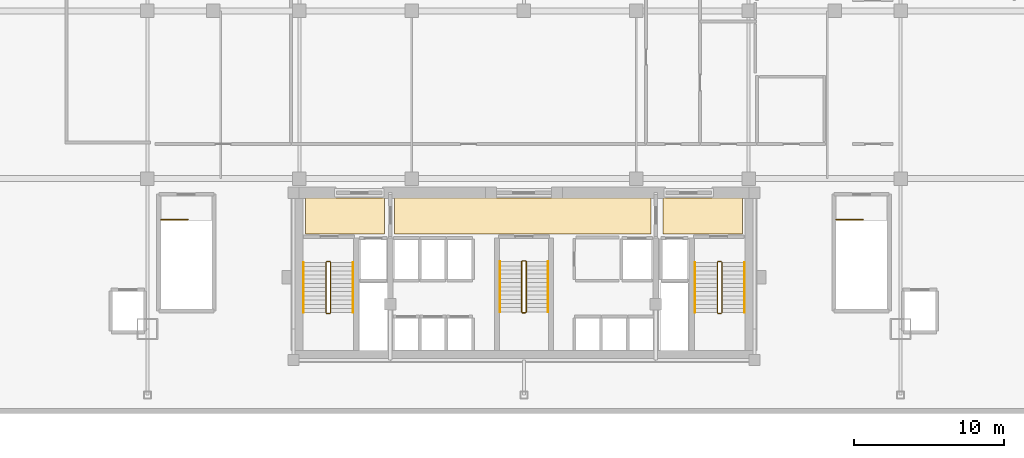
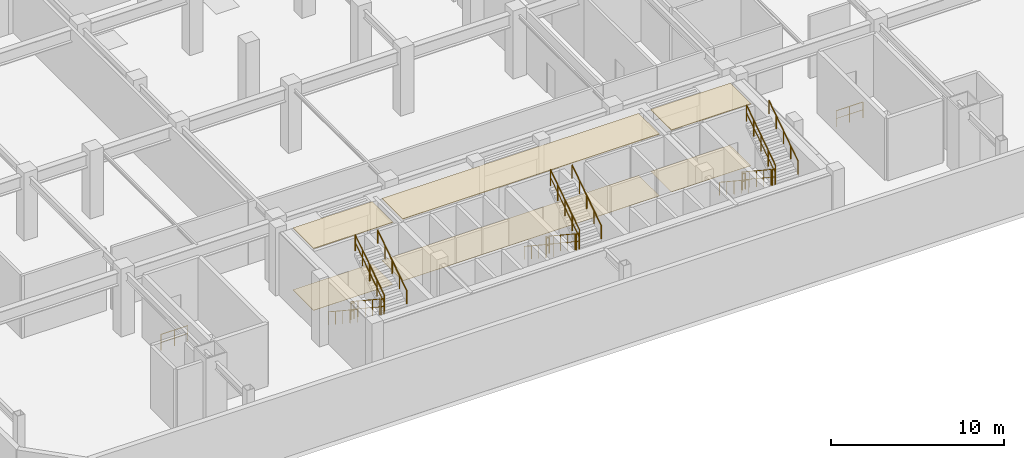
# One storey, part 14 of 15: 20 railings, 6 coverings.
"""IFC4 building model written with IfcOpenShell, lengths in metres."""

from ifc_helpers import new_model, si_unit, direction, frame, origin, origin_2d, place, context, subcontext, project, spatial, polyline, circle, outline, extrude, material, layer, layer_set, type_object, element, save


model = new_model("IFC4")

# Units and contexts
model_context = context("Model", 3, precision=1e-05, world=origin(), true_north=direction((0.0, 1.0)))
body_context = subcontext(model_context, "Body", "Model", "MODEL_VIEW")
ifc_project = project(units=[si_unit("LENGTHUNIT", "METRE"), si_unit("AREAUNIT", "SQUARE_METRE"), si_unit("VOLUMEUNIT", "CUBIC_METRE"), si_unit("PLANEANGLEUNIT", "RADIAN"), si_unit("MASSUNIT", "GRAM", prefix="KILO")], contexts=[model_context])

# Site, building, storey
site_placement = place(None, origin())
site = spatial("IfcSite", under=ifc_project, at=site_placement, CompositionType="ELEMENT")
building_placement = place(site_placement, origin())
building = spatial("IfcBuilding", under=site, at=building_placement, Name="Ventersveld Concourse Tower", CompositionType="ELEMENT")
storey_placement = place(building_placement, frame((0.0, 0.0, 19.800048828125)))
storey = spatial("IfcBuildingStorey", under=building, at=storey_placement, Name="L04", CompositionType="ELEMENT", Elevation=19.800048828125)

# Coverings
ifc_material_1 = material(Name="Mineral-fibre acoustic ceiling tile", Category="gypsum")
ifc_layer_1 = layer(ifc_material_1, 0.0400390625)
ifc_layer_set_1 = layer_set([ifc_layer_1], Name="Mineral-fibre acoustic ceiling tile")
covering_type_1 = type_object("IfcCoveringType", Name="COV-CEIL-ACOUSTIC", PredefinedType="CEILING", material=ifc_layer_set_1)
covering_1_placement = place(storey_placement, frame((0.0, 0.0, 4.35986328125)))
element("IfcCovering", 1, at=covering_1_placement, inside=storey, type_object=covering_type_1, Name="L04 North Lift Lobby Acoustic Ceiling", PredefinedType="CEILING", context=body_context, shape_type="SweptSolid", body=[
    extrude(outline(polyline([(20.10009765625, 8.699951171875), (37.25, 8.699951171875), (37.25, 11.10009765625), (20.10009765625, 11.10009765625), (20.10009765625, 8.699951171875)])), origin(), (0.0, 0.0, 1.0), 0.0400390625),
])
covering_2_placement = place(storey_placement, frame((0.0, 0.0, 4.35986328125)))
element("IfcCovering", 2, at=covering_2_placement, inside=storey, type_object=covering_type_1, Name="L04 West Firefighting Lobby Acoustic Ceiling", PredefinedType="CEILING", context=body_context, shape_type="SweptSolid", body=[
    extrude(outline(polyline([(14.14990234375, 8.699951171875), (19.449951171875, 8.699951171875), (19.449951171875, 11.10009765625), (14.14990234375, 11.10009765625), (14.14990234375, 8.699951171875)])), origin(), (0.0, 0.0, 1.0), 0.0400390625),
])
covering_3_placement = place(storey_placement, frame((0.0, 0.0, 4.35986328125)))
element("IfcCovering", 3, at=covering_3_placement, inside=storey, type_object=covering_type_1, Name="L04 East Firefighting Lobby Acoustic Ceiling", PredefinedType="CEILING", context=body_context, shape_type="SweptSolid", body=[
    extrude(outline(polyline([(38.050048828125, 8.699951171875), (43.35009765625, 8.699951171875), (43.35009765625, 11.10009765625), (38.050048828125, 11.10009765625), (38.050048828125, 8.699951171875)])), origin(), (0.0, 0.0, 1.0), 0.0400390625),
])
ifc_material_2 = material(Name="Polished Highveld granite terrazzo", Category="masonry")
ifc_layer_2 = layer(ifc_material_2, 0.02001953125)
ifc_layer_set_2 = layer_set([ifc_layer_2], Name="Polished Highveld granite terrazzo")
covering_type_2 = type_object("IfcCoveringType", Name="COV-FLOOR-TERRAZZO", PredefinedType="FLOORING", material=ifc_layer_set_2)
covering_4_placement = place(storey_placement, origin())
element("IfcCovering", 4, at=covering_4_placement, inside=storey, type_object=covering_type_2, Name="L04 North Lift Lobby Terrazzo Flooring", PredefinedType="FLOORING", context=body_context, shape_type="SweptSolid", body=[
    extrude(outline(polyline([(20.10009765625, 8.699951171875), (37.25, 8.699951171875), (37.25, 11.10009765625), (20.10009765625, 11.10009765625), (20.10009765625, 8.699951171875)])), origin(), (0.0, 0.0, 1.0), 0.02001953125),
])
covering_5_placement = place(storey_placement, origin())
element("IfcCovering", 5, at=covering_5_placement, inside=storey, type_object=covering_type_2, Name="L04 West Firefighting Lobby Terrazzo Flooring", PredefinedType="FLOORING", context=body_context, shape_type="SweptSolid", body=[
    extrude(outline(polyline([(14.14990234375, 8.699951171875), (19.449951171875, 8.699951171875), (19.449951171875, 11.10009765625), (14.14990234375, 11.10009765625), (14.14990234375, 8.699951171875)])), origin(), (0.0, 0.0, 1.0), 0.02001953125),
])
covering_6_placement = place(storey_placement, origin())
element("IfcCovering", 6, at=covering_6_placement, inside=storey, type_object=covering_type_2, Name="L04 East Firefighting Lobby Terrazzo Flooring", PredefinedType="FLOORING", context=body_context, shape_type="SweptSolid", body=[
    extrude(outline(polyline([(38.050048828125, 8.699951171875), (43.35009765625, 8.699951171875), (43.35009765625, 11.10009765625), (38.050048828125, 11.10009765625), (38.050048828125, 8.699951171875)])), origin(), (0.0, 0.0, 1.0), 0.02001953125),
])

# Railings
ifc_material_3 = material(Name="Brushed stainless steel 316", Category="steel")
railing_type_1 = type_object("IfcRailingType", Name="GD-BAL-115", PredefinedType="GUARDRAIL", material=ifc_material_3)
railing_1_placement = place(storey_placement, frame((15.530029296875, 6.800048828125, 0.1845703125)))
element("IfcRailing", 7, at=railing_1_placement, inside=storey, type_object=railing_type_1, Name="L04 ST-01 stair guard 1", PredefinedType="GUARDRAIL", context=body_context, shape_type="SweptSolid", body=[
    extrude(circle(Radius=0.02392578125, at=origin_2d()), frame((0.0, 0.0, 1.1259765625), z_axis=(0.0, -0.834876476806, 0.550437342915), x_axis=(1.0, 0.0, 0.0)), (0.0, 0.0, 1.0), 4.024658203125),
    extrude(circle(Radius=0.01611328125, at=origin_2d()), frame((0.0, 0.0, 0.574951171875), z_axis=(0.0, -0.834876476806, 0.550437342915), x_axis=(1.0, 0.0, 0.0)), (0.0, 0.0, 1.0), 4.024658203125),
    extrude(circle(Radius=0.02099609375, at=origin_2d()), origin(), (0.0, 0.0, 1.0), 1.101806640625),
    extrude(circle(Radius=0.02099609375, at=origin_2d()), frame((0.0, -0.840087890625, 0.5537109375)), (0.0, 0.0, 1.0), 1.101806640625),
    extrude(circle(Radius=0.02099609375, at=origin_2d()), frame((0.0, -1.68017578125, 1.107666015625)), (0.0, 0.0, 1.0), 1.101806640625),
    extrude(circle(Radius=0.02099609375, at=origin_2d()), frame((0.0, -2.52001953125, 1.66162109375)), (0.0, 0.0, 1.0), 1.101806640625),
    extrude(circle(Radius=0.02099609375, at=origin_2d()), frame((0.0, -3.360107421875, 2.21533203125)), (0.0, 0.0, 1.0), 1.101806640625),
])
railing_2_placement = place(storey_placement, frame((15.580078125, 3.389892578125, 2.39990234375)))
element("IfcRailing", 8, at=railing_2_placement, inside=storey, type_object=railing_type_1, Name="L04 ST-01 stair guard 2", PredefinedType="GUARDRAIL", context=body_context, shape_type="SweptSolid", body=[
    extrude(circle(Radius=0.02392578125, at=origin_2d()), frame((0.0, 0.0, 1.1259765625), z_axis=(1.0, 0.0, 0.0), x_axis=(0.0, 1.0, 0.0)), (0.0, 0.0, 1.0), 0.199951171875),
    extrude(circle(Radius=0.01611328125, at=origin_2d()), frame((0.0, 0.0, 0.574951171875), z_axis=(1.0, 0.0, 0.0), x_axis=(0.0, 1.0, 0.0)), (0.0, 0.0, 1.0), 0.199951171875),
    extrude(circle(Radius=0.02099609375, at=origin_2d()), origin(), (0.0, 0.0, 1.0), 1.101806640625),
    extrude(circle(Radius=0.02099609375, at=origin_2d()), frame((0.199951171875, 0.0, 0.0)), (0.0, 0.0, 1.0), 1.101806640625),
])
railing_3_placement = place(storey_placement, frame((15.830078125, 3.43994140625, 2.58447265625)))
element("IfcRailing", 9, at=railing_3_placement, inside=storey, type_object=railing_type_1, Name="L04 ST-01 stair guard 3", PredefinedType="GUARDRAIL", context=body_context, shape_type="SweptSolid", body=[
    extrude(circle(Radius=0.02392578125, at=origin_2d()), frame((0.0, 0.0, 1.1259765625), z_axis=(0.0, 0.834848600103, 0.550479622607), x_axis=(-1.0, 0.0, 0.0)), (0.0, 0.0, 1.0), 4.02490234375),
    extrude(circle(Radius=0.01611328125, at=origin_2d()), frame((0.0, 0.0, 0.574951171875), z_axis=(0.0, 0.834848600103, 0.550479622607), x_axis=(-1.0, 0.0, 0.0)), (0.0, 0.0, 1.0), 4.02490234375),
    extrude(circle(Radius=0.02099609375, at=origin_2d()), origin(), (0.0, 0.0, 1.0), 1.101806640625),
    extrude(circle(Radius=0.02099609375, at=origin_2d()), frame((0.0, 0.840087890625, 0.553955078125)), (0.0, 0.0, 1.0), 1.101806640625),
    extrude(circle(Radius=0.02099609375, at=origin_2d()), frame((0.0, 1.68017578125, 1.10791015625)), (0.0, 0.0, 1.0), 1.101806640625),
    extrude(circle(Radius=0.02099609375, at=origin_2d()), frame((0.0, 2.52001953125, 1.66162109375)), (0.0, 0.0, 1.0), 1.101806640625),
    extrude(circle(Radius=0.02099609375, at=origin_2d()), frame((0.0, 3.360107421875, 2.215576171875)), (0.0, 0.0, 1.0), 1.101806640625),
])
railing_4_placement = place(storey_placement, frame((15.580078125, 6.85009765625, 0.0)))
element("IfcRailing", 10, at=railing_4_placement, inside=storey, type_object=railing_type_1, Name="L04 ST-01 stair guard 4", PredefinedType="GUARDRAIL", context=body_context, shape_type="SweptSolid", body=[
    extrude(circle(Radius=0.02392578125, at=origin_2d()), frame((0.0, 0.0, 1.1259765625), z_axis=(1.0, 0.0, 0.0), x_axis=(0.0, 1.0, 0.0)), (0.0, 0.0, 1.0), 0.199951171875),
    extrude(circle(Radius=0.01611328125, at=origin_2d()), frame((0.0, 0.0, 0.574951171875), z_axis=(1.0, 0.0, 0.0), x_axis=(0.0, 1.0, 0.0)), (0.0, 0.0, 1.0), 0.199951171875),
    extrude(circle(Radius=0.02099609375, at=origin_2d()), origin(), (0.0, 0.0, 1.0), 1.101806640625),
    extrude(circle(Radius=0.02099609375, at=origin_2d()), frame((0.199951171875, 0.0, 0.0)), (0.0, 0.0, 1.0), 1.101806640625),
])
railing_5_placement = place(storey_placement, frame((41.669921875, 6.800048828125, 0.1845703125)))
element("IfcRailing", 11, at=railing_5_placement, inside=storey, type_object=railing_type_1, Name="L04 ST-02 stair guard 1", PredefinedType="GUARDRAIL", context=body_context, shape_type="SweptSolid", body=[
    extrude(circle(Radius=0.02392578125, at=origin_2d()), frame((0.0, 0.0, 1.1259765625), z_axis=(0.0, -0.834876476806, 0.550437342915), x_axis=(1.0, 0.0, 0.0)), (0.0, 0.0, 1.0), 4.024658203125),
    extrude(circle(Radius=0.01611328125, at=origin_2d()), frame((0.0, 0.0, 0.574951171875), z_axis=(0.0, -0.834876476806, 0.550437342915), x_axis=(1.0, 0.0, 0.0)), (0.0, 0.0, 1.0), 4.024658203125),
    extrude(circle(Radius=0.02099609375, at=origin_2d()), origin(), (0.0, 0.0, 1.0), 1.101806640625),
    extrude(circle(Radius=0.02099609375, at=origin_2d()), frame((0.0, -0.840087890625, 0.5537109375)), (0.0, 0.0, 1.0), 1.101806640625),
    extrude(circle(Radius=0.02099609375, at=origin_2d()), frame((0.0, -1.68017578125, 1.107666015625)), (0.0, 0.0, 1.0), 1.101806640625),
    extrude(circle(Radius=0.02099609375, at=origin_2d()), frame((0.0, -2.52001953125, 1.66162109375)), (0.0, 0.0, 1.0), 1.101806640625),
    extrude(circle(Radius=0.02099609375, at=origin_2d()), frame((0.0, -3.360107421875, 2.21533203125)), (0.0, 0.0, 1.0), 1.101806640625),
])
railing_6_placement = place(storey_placement, frame((41.719970703125, 3.389892578125, 2.39990234375)))
element("IfcRailing", 12, at=railing_6_placement, inside=storey, type_object=railing_type_1, Name="L04 ST-02 stair guard 2", PredefinedType="GUARDRAIL", context=body_context, shape_type="SweptSolid", body=[
    extrude(circle(Radius=0.02392578125, at=origin_2d()), frame((0.0, 0.0, 1.1259765625), z_axis=(1.0, 0.0, 0.0), x_axis=(0.0, 1.0, 0.0)), (0.0, 0.0, 1.0), 0.199951171875),
    extrude(circle(Radius=0.01611328125, at=origin_2d()), frame((0.0, 0.0, 0.574951171875), z_axis=(1.0, 0.0, 0.0), x_axis=(0.0, 1.0, 0.0)), (0.0, 0.0, 1.0), 0.199951171875),
    extrude(circle(Radius=0.02099609375, at=origin_2d()), origin(), (0.0, 0.0, 1.0), 1.101806640625),
    extrude(circle(Radius=0.02099609375, at=origin_2d()), frame((0.199951171875, 0.0, 0.0)), (0.0, 0.0, 1.0), 1.101806640625),
])
railing_7_placement = place(storey_placement, frame((41.969970703125, 3.43994140625, 2.58447265625)))
element("IfcRailing", 13, at=railing_7_placement, inside=storey, type_object=railing_type_1, Name="L04 ST-02 stair guard 3", PredefinedType="GUARDRAIL", context=body_context, shape_type="SweptSolid", body=[
    extrude(circle(Radius=0.02392578125, at=origin_2d()), frame((0.0, 0.0, 1.1259765625), z_axis=(0.0, 0.834848600103, 0.550479622607), x_axis=(-1.0, 0.0, 0.0)), (0.0, 0.0, 1.0), 4.02490234375),
    extrude(circle(Radius=0.01611328125, at=origin_2d()), frame((0.0, 0.0, 0.574951171875), z_axis=(0.0, 0.834848600103, 0.550479622607), x_axis=(-1.0, 0.0, 0.0)), (0.0, 0.0, 1.0), 4.02490234375),
    extrude(circle(Radius=0.02099609375, at=origin_2d()), origin(), (0.0, 0.0, 1.0), 1.101806640625),
    extrude(circle(Radius=0.02099609375, at=origin_2d()), frame((0.0, 0.840087890625, 0.553955078125)), (0.0, 0.0, 1.0), 1.101806640625),
    extrude(circle(Radius=0.02099609375, at=origin_2d()), frame((0.0, 1.68017578125, 1.10791015625)), (0.0, 0.0, 1.0), 1.101806640625),
    extrude(circle(Radius=0.02099609375, at=origin_2d()), frame((0.0, 2.52001953125, 1.66162109375)), (0.0, 0.0, 1.0), 1.101806640625),
    extrude(circle(Radius=0.02099609375, at=origin_2d()), frame((0.0, 3.360107421875, 2.215576171875)), (0.0, 0.0, 1.0), 1.101806640625),
])
railing_8_placement = place(storey_placement, frame((41.719970703125, 6.85009765625, 0.0)))
element("IfcRailing", 14, at=railing_8_placement, inside=storey, type_object=railing_type_1, Name="L04 ST-02 stair guard 4", PredefinedType="GUARDRAIL", context=body_context, shape_type="SweptSolid", body=[
    extrude(circle(Radius=0.02392578125, at=origin_2d()), frame((0.0, 0.0, 1.1259765625), z_axis=(1.0, 0.0, 0.0), x_axis=(0.0, 1.0, 0.0)), (0.0, 0.0, 1.0), 0.199951171875),
    extrude(circle(Radius=0.01611328125, at=origin_2d()), frame((0.0, 0.0, 0.574951171875), z_axis=(1.0, 0.0, 0.0), x_axis=(0.0, 1.0, 0.0)), (0.0, 0.0, 1.0), 0.199951171875),
    extrude(circle(Radius=0.02099609375, at=origin_2d()), origin(), (0.0, 0.0, 1.0), 1.101806640625),
    extrude(circle(Radius=0.02099609375, at=origin_2d()), frame((0.199951171875, 0.0, 0.0)), (0.0, 0.0, 1.0), 1.101806640625),
])
railing_9_placement = place(storey_placement, frame((28.60009765625, 6.85009765625, 0.1845703125)))
element("IfcRailing", 15, at=railing_9_placement, inside=storey, type_object=railing_type_1, Name="L04 ST-03 stair guard 1", PredefinedType="GUARDRAIL", context=body_context, shape_type="SweptSolid", body=[
    extrude(circle(Radius=0.02392578125, at=origin_2d()), frame((0.0, 0.0, 1.1259765625), z_axis=(0.0, -0.834876476806, 0.550437342915), x_axis=(1.0, 0.0, 0.0)), (0.0, 0.0, 1.0), 4.024658203125),
    extrude(circle(Radius=0.01611328125, at=origin_2d()), frame((0.0, 0.0, 0.574951171875), z_axis=(0.0, -0.834876476806, 0.550437342915), x_axis=(1.0, 0.0, 0.0)), (0.0, 0.0, 1.0), 4.024658203125),
    extrude(circle(Radius=0.02099609375, at=origin_2d()), origin(), (0.0, 0.0, 1.0), 1.101806640625),
    extrude(circle(Radius=0.02099609375, at=origin_2d()), frame((0.0, -0.840087890625, 0.5537109375)), (0.0, 0.0, 1.0), 1.101806640625),
    extrude(circle(Radius=0.02099609375, at=origin_2d()), frame((0.0, -1.68017578125, 1.107666015625)), (0.0, 0.0, 1.0), 1.101806640625),
    extrude(circle(Radius=0.02099609375, at=origin_2d()), frame((0.0, -2.52001953125, 1.66162109375)), (0.0, 0.0, 1.0), 1.101806640625),
    extrude(circle(Radius=0.02099609375, at=origin_2d()), frame((0.0, -3.360107421875, 2.21533203125)), (0.0, 0.0, 1.0), 1.101806640625),
])
railing_10_placement = place(storey_placement, frame((28.64990234375, 3.43994140625, 2.39990234375)))
element("IfcRailing", 16, at=railing_10_placement, inside=storey, type_object=railing_type_1, Name="L04 ST-03 stair guard 2", PredefinedType="GUARDRAIL", context=body_context, shape_type="SweptSolid", body=[
    extrude(circle(Radius=0.02392578125, at=origin_2d()), frame((0.0, 0.0, 1.1259765625), z_axis=(1.0, 0.0, 0.0), x_axis=(0.0, 1.0, 0.0)), (0.0, 0.0, 1.0), 0.2001953125),
    extrude(circle(Radius=0.01611328125, at=origin_2d()), frame((0.0, 0.0, 0.574951171875), z_axis=(1.0, 0.0, 0.0), x_axis=(0.0, 1.0, 0.0)), (0.0, 0.0, 1.0), 0.2001953125),
    extrude(circle(Radius=0.02099609375, at=origin_2d()), origin(), (0.0, 0.0, 1.0), 1.101806640625),
    extrude(circle(Radius=0.02099609375, at=origin_2d()), frame((0.2001953125, 0.0, 0.0)), (0.0, 0.0, 1.0), 1.101806640625),
])
railing_11_placement = place(storey_placement, frame((28.89990234375, 3.489990234375, 2.58447265625)))
element("IfcRailing", 17, at=railing_11_placement, inside=storey, type_object=railing_type_1, Name="L04 ST-03 stair guard 3", PredefinedType="GUARDRAIL", context=body_context, shape_type="SweptSolid", body=[
    extrude(circle(Radius=0.02392578125, at=origin_2d()), frame((0.0, 0.0, 1.1259765625), z_axis=(0.0, 0.834848600103, 0.550479622607), x_axis=(-1.0, 0.0, 0.0)), (0.0, 0.0, 1.0), 4.02490234375),
    extrude(circle(Radius=0.01611328125, at=origin_2d()), frame((0.0, 0.0, 0.574951171875), z_axis=(0.0, 0.834848600103, 0.550479622607), x_axis=(-1.0, 0.0, 0.0)), (0.0, 0.0, 1.0), 4.02490234375),
    extrude(circle(Radius=0.02099609375, at=origin_2d()), origin(), (0.0, 0.0, 1.0), 1.101806640625),
    extrude(circle(Radius=0.02099609375, at=origin_2d()), frame((0.0, 0.840087890625, 0.553955078125)), (0.0, 0.0, 1.0), 1.101806640625),
    extrude(circle(Radius=0.02099609375, at=origin_2d()), frame((0.0, 1.68017578125, 1.10791015625)), (0.0, 0.0, 1.0), 1.101806640625),
    extrude(circle(Radius=0.02099609375, at=origin_2d()), frame((0.0, 2.52001953125, 1.66162109375)), (0.0, 0.0, 1.0), 1.101806640625),
    extrude(circle(Radius=0.02099609375, at=origin_2d()), frame((0.0, 3.360107421875, 2.215576171875)), (0.0, 0.0, 1.0), 1.101806640625),
])
railing_12_placement = place(storey_placement, frame((28.64990234375, 6.89990234375, 0.0)))
element("IfcRailing", 18, at=railing_12_placement, inside=storey, type_object=railing_type_1, Name="L04 ST-03 stair guard 4", PredefinedType="GUARDRAIL", context=body_context, shape_type="SweptSolid", body=[
    extrude(circle(Radius=0.02392578125, at=origin_2d()), frame((0.0, 0.0, 1.1259765625), z_axis=(1.0, 0.0, 0.0), x_axis=(0.0, 1.0, 0.0)), (0.0, 0.0, 1.0), 0.2001953125),
    extrude(circle(Radius=0.01611328125, at=origin_2d()), frame((0.0, 0.0, 0.574951171875), z_axis=(1.0, 0.0, 0.0), x_axis=(0.0, 1.0, 0.0)), (0.0, 0.0, 1.0), 0.2001953125),
    extrude(circle(Radius=0.02099609375, at=origin_2d()), origin(), (0.0, 0.0, 1.0), 1.101806640625),
    extrude(circle(Radius=0.02099609375, at=origin_2d()), frame((0.2001953125, 0.0, 0.0)), (0.0, 0.0, 1.0), 1.101806640625),
])
railing_13_placement = place(storey_placement, frame((4.5, 9.64990234375, 0.0)))
element("IfcRailing", 19, at=railing_13_placement, inside=storey, type_object=railing_type_1, Name="L04 ST-04 top well guard 1", PredefinedType="GUARDRAIL", context=body_context, shape_type="SweptSolid", body=[
    extrude(circle(Radius=0.02392578125, at=origin_2d()), frame((0.0, 0.0, 1.1259765625), z_axis=(1.0, 0.0, 0.0), x_axis=(0.0, 1.0, 0.0)), (0.0, 0.0, 1.0), 1.800048828125),
    extrude(circle(Radius=0.01611328125, at=origin_2d()), frame((0.0, 0.0, 0.574951171875), z_axis=(1.0, 0.0, 0.0), x_axis=(0.0, 1.0, 0.0)), (0.0, 0.0, 1.0), 1.800048828125),
    extrude(circle(Radius=0.02099609375, at=origin_2d()), origin(), (0.0, 0.0, 1.0), 1.101806640625),
    extrude(circle(Radius=0.02099609375, at=origin_2d()), frame((0.89990234375, 0.0, 0.0)), (0.0, 0.0, 1.0), 1.101806640625),
    extrude(circle(Radius=0.02099609375, at=origin_2d()), frame((1.800048828125, 0.0, 0.0)), (0.0, 0.0, 1.0), 1.101806640625),
])
railing_14_placement = place(storey_placement, frame((49.60009765625, 9.64990234375, 0.0)))
element("IfcRailing", 20, at=railing_14_placement, inside=storey, type_object=railing_type_1, Name="L04 ST-05 top well guard 1", PredefinedType="GUARDRAIL", context=body_context, shape_type="SweptSolid", body=[
    extrude(circle(Radius=0.02392578125, at=origin_2d()), frame((0.0, 0.0, 1.1259765625), z_axis=(1.0, 0.0, 0.0), x_axis=(0.0, 1.0, 0.0)), (0.0, 0.0, 1.0), 1.7998046875),
    extrude(circle(Radius=0.01611328125, at=origin_2d()), frame((0.0, 0.0, 0.574951171875), z_axis=(1.0, 0.0, 0.0), x_axis=(0.0, 1.0, 0.0)), (0.0, 0.0, 1.0), 1.7998046875),
    extrude(circle(Radius=0.02099609375, at=origin_2d()), origin(), (0.0, 0.0, 1.0), 1.101806640625),
    extrude(circle(Radius=0.02099609375, at=origin_2d()), frame((0.89990234375, 0.0, 0.0)), (0.0, 0.0, 1.0), 1.101806640625),
    extrude(circle(Radius=0.02099609375, at=origin_2d()), frame((1.7998046875, 0.0, 0.0)), (0.0, 0.0, 1.0), 1.101806640625),
])
railing_type_2 = type_object("IfcRailingType", Name="HR-RMP-095", PredefinedType="HANDRAIL", material=ifc_material_3)
railing_15_placement = place(storey_placement, frame((14.030029296875, 6.800048828125, 0.1845703125)))
element("IfcRailing", 21, at=railing_15_placement, inside=storey, type_object=railing_type_2, Name="L04 ST-01 stair handrail 1", PredefinedType="HANDRAIL", context=body_context, shape_type="SweptSolid", body=[
    extrude(circle(Radius=0.02392578125, at=origin_2d()), frame((0.0, 0.0, 0.92578125), z_axis=(0.0, -0.834876476806, 0.550437342915), x_axis=(1.0, 0.0, 0.0)), (0.0, 0.0, 1.0), 4.024658203125),
    extrude(circle(Radius=0.02099609375, at=origin_2d()), origin(), (0.0, 0.0, 1.0), 0.90185546875),
    extrude(circle(Radius=0.02099609375, at=origin_2d()), frame((0.0, -0.840087890625, 0.5537109375)), (0.0, 0.0, 1.0), 0.90185546875),
    extrude(circle(Radius=0.02099609375, at=origin_2d()), frame((0.0, -1.68017578125, 1.107666015625)), (0.0, 0.0, 1.0), 0.90185546875),
    extrude(circle(Radius=0.02099609375, at=origin_2d()), frame((0.0, -2.52001953125, 1.66162109375)), (0.0, 0.0, 1.0), 0.90185546875),
    extrude(circle(Radius=0.02099609375, at=origin_2d()), frame((0.0, -3.360107421875, 2.21533203125)), (0.0, 0.0, 1.0), 0.90185546875),
])
railing_16_placement = place(storey_placement, frame((17.330078125, 3.43994140625, 2.58447265625)))
element("IfcRailing", 22, at=railing_16_placement, inside=storey, type_object=railing_type_2, Name="L04 ST-01 stair handrail 2", PredefinedType="HANDRAIL", context=body_context, shape_type="SweptSolid", body=[
    extrude(circle(Radius=0.02392578125, at=origin_2d()), frame((0.0, 0.0, 0.92578125), z_axis=(0.0, 0.834848600103, 0.550479622607), x_axis=(-1.0, 0.0, 0.0)), (0.0, 0.0, 1.0), 4.02490234375),
    extrude(circle(Radius=0.02099609375, at=origin_2d()), origin(), (0.0, 0.0, 1.0), 0.90185546875),
    extrude(circle(Radius=0.02099609375, at=origin_2d()), frame((0.0, 0.840087890625, 0.553955078125)), (0.0, 0.0, 1.0), 0.90185546875),
    extrude(circle(Radius=0.02099609375, at=origin_2d()), frame((0.0, 1.68017578125, 1.10791015625)), (0.0, 0.0, 1.0), 0.90185546875),
    extrude(circle(Radius=0.02099609375, at=origin_2d()), frame((0.0, 2.52001953125, 1.66162109375)), (0.0, 0.0, 1.0), 0.90185546875),
    extrude(circle(Radius=0.02099609375, at=origin_2d()), frame((0.0, 3.360107421875, 2.215576171875)), (0.0, 0.0, 1.0), 0.90185546875),
])
railing_17_placement = place(storey_placement, frame((40.169921875, 6.800048828125, 0.1845703125)))
element("IfcRailing", 23, at=railing_17_placement, inside=storey, type_object=railing_type_2, Name="L04 ST-02 stair handrail 1", PredefinedType="HANDRAIL", context=body_context, shape_type="SweptSolid", body=[
    extrude(circle(Radius=0.02392578125, at=origin_2d()), frame((0.0, 0.0, 0.92578125), z_axis=(0.0, -0.834876476806, 0.550437342915), x_axis=(1.0, 0.0, 0.0)), (0.0, 0.0, 1.0), 4.024658203125),
    extrude(circle(Radius=0.02099609375, at=origin_2d()), origin(), (0.0, 0.0, 1.0), 0.90185546875),
    extrude(circle(Radius=0.02099609375, at=origin_2d()), frame((0.0, -0.840087890625, 0.5537109375)), (0.0, 0.0, 1.0), 0.90185546875),
    extrude(circle(Radius=0.02099609375, at=origin_2d()), frame((0.0, -1.68017578125, 1.107666015625)), (0.0, 0.0, 1.0), 0.90185546875),
    extrude(circle(Radius=0.02099609375, at=origin_2d()), frame((0.0, -2.52001953125, 1.66162109375)), (0.0, 0.0, 1.0), 0.90185546875),
    extrude(circle(Radius=0.02099609375, at=origin_2d()), frame((0.0, -3.360107421875, 2.21533203125)), (0.0, 0.0, 1.0), 0.90185546875),
])
railing_18_placement = place(storey_placement, frame((43.469970703125, 3.43994140625, 2.58447265625)))
element("IfcRailing", 24, at=railing_18_placement, inside=storey, type_object=railing_type_2, Name="L04 ST-02 stair handrail 2", PredefinedType="HANDRAIL", context=body_context, shape_type="SweptSolid", body=[
    extrude(circle(Radius=0.02392578125, at=origin_2d()), frame((0.0, 0.0, 0.92578125), z_axis=(0.0, 0.834848600103, 0.550479622607), x_axis=(-1.0, 0.0, 0.0)), (0.0, 0.0, 1.0), 4.02490234375),
    extrude(circle(Radius=0.02099609375, at=origin_2d()), origin(), (0.0, 0.0, 1.0), 0.90185546875),
    extrude(circle(Radius=0.02099609375, at=origin_2d()), frame((0.0, 0.840087890625, 0.553955078125)), (0.0, 0.0, 1.0), 0.90185546875),
    extrude(circle(Radius=0.02099609375, at=origin_2d()), frame((0.0, 1.68017578125, 1.10791015625)), (0.0, 0.0, 1.0), 0.90185546875),
    extrude(circle(Radius=0.02099609375, at=origin_2d()), frame((0.0, 2.52001953125, 1.66162109375)), (0.0, 0.0, 1.0), 0.90185546875),
    extrude(circle(Radius=0.02099609375, at=origin_2d()), frame((0.0, 3.360107421875, 2.215576171875)), (0.0, 0.0, 1.0), 0.90185546875),
])
railing_19_placement = place(storey_placement, frame((27.14990234375, 6.85009765625, 0.1845703125)))
element("IfcRailing", 25, at=railing_19_placement, inside=storey, type_object=railing_type_2, Name="L04 ST-03 stair handrail 1", PredefinedType="HANDRAIL", context=body_context, shape_type="SweptSolid", body=[
    extrude(circle(Radius=0.02392578125, at=origin_2d()), frame((0.0, 0.0, 0.92578125), z_axis=(0.0, -0.834876476806, 0.550437342915), x_axis=(1.0, 0.0, 0.0)), (0.0, 0.0, 1.0), 4.024658203125),
    extrude(circle(Radius=0.02099609375, at=origin_2d()), origin(), (0.0, 0.0, 1.0), 0.90185546875),
    extrude(circle(Radius=0.02099609375, at=origin_2d()), frame((0.0, -0.840087890625, 0.5537109375)), (0.0, 0.0, 1.0), 0.90185546875),
    extrude(circle(Radius=0.02099609375, at=origin_2d()), frame((0.0, -1.68017578125, 1.107666015625)), (0.0, 0.0, 1.0), 0.90185546875),
    extrude(circle(Radius=0.02099609375, at=origin_2d()), frame((0.0, -2.52001953125, 1.66162109375)), (0.0, 0.0, 1.0), 0.90185546875),
    extrude(circle(Radius=0.02099609375, at=origin_2d()), frame((0.0, -3.360107421875, 2.21533203125)), (0.0, 0.0, 1.0), 0.90185546875),
])
railing_20_placement = place(storey_placement, frame((30.35009765625, 3.489990234375, 2.58447265625)))
element("IfcRailing", 26, at=railing_20_placement, inside=storey, type_object=railing_type_2, Name="L04 ST-03 stair handrail 2", PredefinedType="HANDRAIL", context=body_context, shape_type="SweptSolid", body=[
    extrude(circle(Radius=0.02392578125, at=origin_2d()), frame((0.0, 0.0, 0.92578125), z_axis=(0.0, 0.834848600103, 0.550479622607), x_axis=(-1.0, 0.0, 0.0)), (0.0, 0.0, 1.0), 4.02490234375),
    extrude(circle(Radius=0.02099609375, at=origin_2d()), origin(), (0.0, 0.0, 1.0), 0.90185546875),
    extrude(circle(Radius=0.02099609375, at=origin_2d()), frame((0.0, 0.840087890625, 0.553955078125)), (0.0, 0.0, 1.0), 0.90185546875),
    extrude(circle(Radius=0.02099609375, at=origin_2d()), frame((0.0, 1.68017578125, 1.10791015625)), (0.0, 0.0, 1.0), 0.90185546875),
    extrude(circle(Radius=0.02099609375, at=origin_2d()), frame((0.0, 2.52001953125, 1.66162109375)), (0.0, 0.0, 1.0), 0.90185546875),
    extrude(circle(Radius=0.02099609375, at=origin_2d()), frame((0.0, 3.360107421875, 2.215576171875)), (0.0, 0.0, 1.0), 0.90185546875),
])

save(model, "model.ifc")
